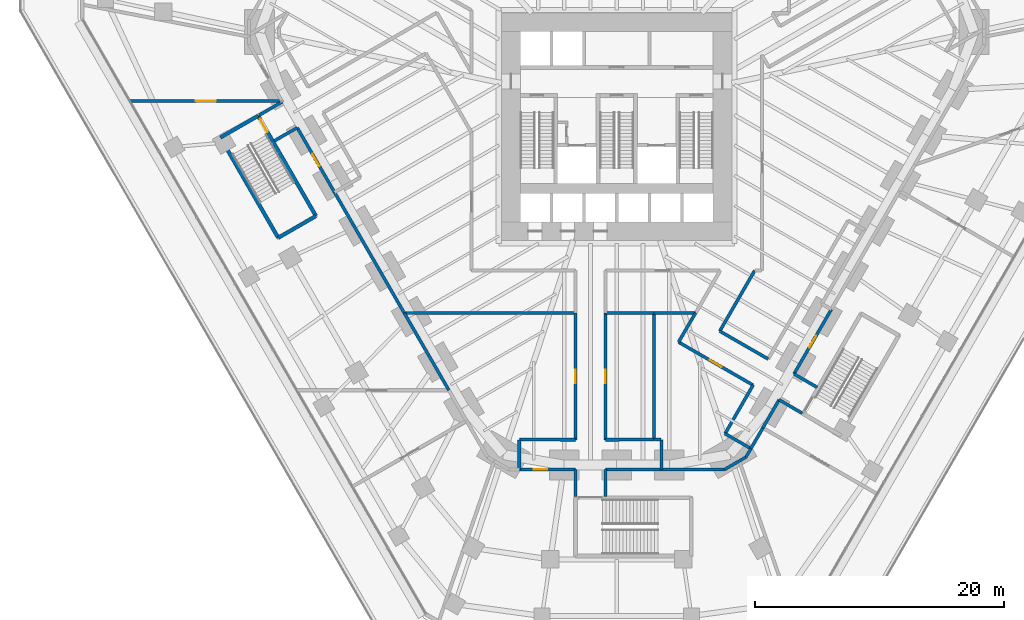
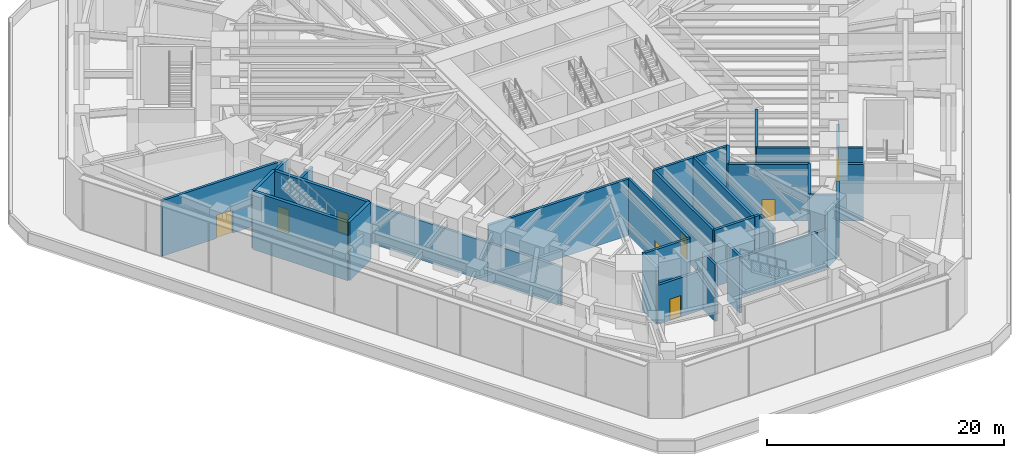
# One storey, part 15 of 25: 40 walls, 8 doors, 8 openings.
"""IFC4 building model written with IfcOpenShell, lengths in metres."""

from ifc_helpers import new_model, si_unit, direction, frame, frame_2d, origin, place, context, subcontext, project, spatial, rectangle, extrude, material, layer, layer_set, type_object, element, fill, save


model = new_model("IFC4")

# Units and contexts
model_context = context("Model", 3, precision=1e-05, world=origin(), true_north=direction((0.0, 1.0)))
body_context = subcontext(model_context, "Body", "Model", "MODEL_VIEW")
ifc_project = project(units=[si_unit("LENGTHUNIT", "METRE"), si_unit("AREAUNIT", "SQUARE_METRE"), si_unit("VOLUMEUNIT", "CUBIC_METRE"), si_unit("PLANEANGLEUNIT", "RADIAN"), si_unit("MASSUNIT", "GRAM", prefix="KILO")], contexts=[model_context])

# Site, building, storey
site_placement = place(None, origin())
site = spatial("IfcSite", under=ifc_project, at=site_placement, CompositionType="ELEMENT")
building_placement = place(site_placement, origin())
building = spatial("IfcBuilding", under=site, at=building_placement, Name="Sandreach Pilgrim Tower", CompositionType="ELEMENT")
storey_placement = place(building_placement, frame((0.0, 0.0, 6.0)))
storey = spatial("IfcBuildingStorey", under=building, at=storey_placement, Name="L01", CompositionType="ELEMENT", Elevation=6.0)

# Wall, opening, door
ifc_material_1 = material(Name="Acoustic gypsum board wall, double frame", Category="gypsum")
ifc_layer_1 = layer(ifc_material_1, 0.25)
ifc_layer_set_1 = layer_set([ifc_layer_1], Name="Hall partition 250")
wall_type_1 = type_object("IfcWallType", Name="Hall partition 250", PredefinedType="PARTITIONING", material=ifc_layer_set_1)
wall_1_placement = place(storey_placement, frame((-39.1298828125, 0.52001953125, 0.0), z_axis=(0.0, 0.0, 1.0), x_axis=(1.0, 0.0, 0.0)))
wall_1 = element("IfcWall", 1, at=wall_1_placement, inside=storey, type_object=wall_type_1, Name="Hall partition L01-001", PredefinedType="PARTITIONING", context=body_context, shape_type="SweptSolid", body=[
    extrude(rectangle(XDim=12.2099609375, YDim=0.25, at=frame_2d((6.10498046875, 0.0))), origin(), (0.0, 0.0, 1.0), 5.75),
])
opening_1_placement = place(wall_1_placement, frame((5.304931640625, 0.0, 0.0)))
opening_1 = element("IfcOpeningElement", 2, at=opening_1_placement, cuts=wall_1, Name="Opening D16-N3H", PredefinedType="OPENING", context=body_context, shape_type="SweptSolid", body=[
    extrude(rectangle(XDim=1.60009765625, YDim=2.39990234375, at=frame_2d((0.800048828125, 1.199951171875))), frame((0.0, 0.125, 0.0), z_axis=(0.0, -1.0, 0.0), x_axis=(1.0, 0.0, 0.0)), (0.0, 0.0, 1.0), 0.25),
])
ifc_material_2 = material(Name="Steel door and frame", Category="steel")
door_type_1 = type_object("IfcDoorType", Name="Hall double door", OperationType="DOUBLE_DOOR_SINGLE_SWING", PredefinedType="DOOR", material=ifc_material_2)
door_1_placement = place(opening_1_placement, origin())
door_1 = element("IfcDoor", 3, at=door_1_placement, inside=storey, type_object=door_type_1, Name="Door 01N3", OperationType="DOUBLE_DOOR_SINGLE_SWING", OverallHeight=2.39990234375, OverallWidth=1.60009765625, PredefinedType="DOOR", context=body_context, shape_type="SweptSolid", body=[
    extrude(rectangle(XDim=1.60009765625, YDim=2.39990234375, at=frame_2d((0.800048828125, 1.199951171875))), frame((0.0, 0.02490234375, 0.0), z_axis=(0.0, -1.0, 0.0), x_axis=(1.0, 0.0, 0.0)), (0.0, 0.0, 1.0), 0.050048828125),
])
fill(opening_1, door_1)

# Walls
for number, where, z_axis, x_axis, name in (
    (4, (-27.5400390625, -2.699951171875, 0.0), (0.0, 0.0, 1.0), (0.866853445344, 0.49856303944, 0.0), "Hall partition L01-008"),
    (5, (-26.8798828125, 0.449951171875, 0.0), (0.0, 0.0, 1.0), (-0.866853445344, -0.49856303944, 0.0), "Hall partition L01-012"),
):
    element("IfcWall", number, at=place(storey_placement, frame(where, z_axis=z_axis, x_axis=x_axis)), inside=storey, type_object=wall_type_1, Name=name, PredefinedType="PARTITIONING", context=body_context, shape_type="SweptSolid", body=[
        extrude(rectangle(XDim=2.145751953125, YDim=0.25, at=frame_2d((1.07275390625, 0.0))), origin(), (0.0, 0.0, 1.0), 5.840087890625),
    ])

# Wall, opening, door
wall_2_placement = place(storey_placement, frame((-25.679931640625, -1.6298828125, 0.0), z_axis=(0.0, 0.0, 1.0), x_axis=(0.500116102252, -0.865958361741, 0.0)))
wall_2 = element("IfcWall", 6, at=wall_2_placement, inside=storey, type_object=wall_type_1, Name="Hall partition L01-015", PredefinedType="PARTITIONING", context=body_context, shape_type="SweptSolid", body=[
    extrude(rectangle(XDim=5.99462890625, YDim=0.25, at=frame_2d((2.997314453125, 0.0))), origin(), (0.0, 0.0, 1.0), 4.0400390625),
])
opening_2_placement = place(wall_2_placement, frame((2.447509765625, 0.0, 0.0)))
opening_2 = element("IfcOpeningElement", 7, at=opening_2_placement, cuts=wall_2, Name="Opening D11H-05", PredefinedType="OPENING", context=body_context, shape_type="SweptSolid", body=[
    extrude(rectangle(XDim=1.10009765625, YDim=2.199951171875, at=frame_2d((0.550048828125, 1.10009765625))), frame((0.0, 0.125, 0.0), z_axis=(0.0, -1.0, 0.0), x_axis=(1.0, 0.0, 0.0)), (0.0, 0.0, 1.0), 0.25),
])
ifc_material_3 = material(Name="Steel door and frame", Category="steel")
door_type_2 = type_object("IfcDoorType", Name="Back of house door", OperationType="SINGLE_SWING_LEFT", PredefinedType="DOOR", material=ifc_material_3)
door_2_placement = place(opening_2_placement, origin())
door_2 = element("IfcDoor", 8, at=door_2_placement, inside=storey, type_object=door_type_2, Name="Door 0105", OperationType="SINGLE_SWING_LEFT", OverallHeight=2.199951171875, OverallWidth=1.10009765625, PredefinedType="DOOR", context=body_context, shape_type="SweptSolid", body=[
    extrude(rectangle(XDim=1.10009765625, YDim=2.199951171875, at=frame_2d((0.550048828125, 1.10009765625))), frame((0.0, 0.02490234375, 0.0), z_axis=(0.0, -1.0, 0.0), x_axis=(1.0, 0.0, 0.0)), (0.0, 0.0, 1.0), 0.050048828125),
])
fill(opening_2, door_2)

# Walls
wall_3_placement = place(storey_placement, frame((-22.681884765625, -6.821044921875, 0.0), z_axis=(0.0, 0.0, 1.0), x_axis=(0.500140682179, -0.865944165654, 0.0)))
element("IfcWall", 9, at=wall_3_placement, inside=storey, type_object=wall_type_1, Name="Hall partition L01-021", PredefinedType="PARTITIONING", context=body_context, shape_type="SweptSolid", body=[
    extrude(rectangle(XDim=11.200439453125, YDim=0.25, at=frame_2d((5.60009765625, 0.0))), origin(), (0.0, 0.0, 1.0), 4.0400390625),
])
wall_4_placement = place(storey_placement, frame((-13.489990234375, -22.72998046875, 0.0), z_axis=(0.0, 0.0, 1.0), x_axis=(-0.500498166141, 0.865737596325, 0.0)))
element("IfcWall", 10, at=wall_4_placement, inside=storey, type_object=wall_type_1, Name="Hall partition L01-039", PredefinedType="PARTITIONING", context=body_context, shape_type="SweptSolid", body=[
    extrude(rectangle(XDim=7.173095703125, YDim=0.25, at=frame_2d((3.58642578125, 0.0))), origin(), (0.0, 0.0, 1.0), 4.0400390625),
])
wall_5_placement = place(storey_placement, frame((-7.830078125, -29.110107421875, 0.0), z_axis=(0.0, 0.0, 1.0), x_axis=(0.0, 1.0, 0.0)))
element("IfcWall", 11, at=wall_5_placement, inside=storey, type_object=wall_type_1, Name="Hall partition L01-050", PredefinedType="PARTITIONING", context=body_context, shape_type="SweptSolid", body=[
    extrude(rectangle(XDim=2.400146484375, YDim=0.25, at=frame_2d((1.2001953125, 0.0))), origin(), (0.0, 0.0, 1.0), 5.840087890625),
])

# Wall, opening, door
wall_6_placement = place(storey_placement, frame((-7.830078125, -29.110107421875, 0.0), z_axis=(0.0, 0.0, 1.0), x_axis=(1.0, 0.0, 0.0)))
wall_6 = element("IfcWall", 12, at=wall_6_placement, inside=storey, type_object=wall_type_1, Name="Hall partition L01-051", PredefinedType="PARTITIONING", context=body_context, shape_type="SweptSolid", body=[
    extrude(rectangle(XDim=4.52001953125, YDim=0.25, at=frame_2d((2.260009765625, 0.0))), origin(), (0.0, 0.0, 1.0), 4.0400390625),
])
opening_3_placement = place(wall_6_placement, frame((1.159912109375, 0.0, 0.0)))
opening_3 = element("IfcOpeningElement", 13, at=opening_3_placement, cuts=wall_6, Name="Opening D11H-04", PredefinedType="OPENING", context=body_context, shape_type="SweptSolid", body=[
    extrude(rectangle(XDim=1.10009765625, YDim=2.199951171875, at=frame_2d((0.550048828125, 1.10009765625))), frame((0.0, 0.125, 0.0), z_axis=(0.0, -1.0, 0.0), x_axis=(1.0, 0.0, 0.0)), (0.0, 0.0, 1.0), 0.25),
])
door_3_placement = place(opening_3_placement, origin())
door_3 = element("IfcDoor", 14, at=door_3_placement, inside=storey, type_object=door_type_2, Name="Door 0104", OperationType="SINGLE_SWING_LEFT", OverallHeight=2.199951171875, OverallWidth=1.10009765625, PredefinedType="DOOR", context=body_context, shape_type="SweptSolid", body=[
    extrude(rectangle(XDim=1.10009765625, YDim=2.199951171875, at=frame_2d((0.550048828125, 1.10009765625))), frame((0.0, 0.02490234375, 0.0), z_axis=(0.0, -1.0, 0.0), x_axis=(1.0, 0.0, 0.0)), (0.0, 0.0, 1.0), 0.050048828125),
])
fill(opening_3, door_3)

# Walls
wall_7_placement = place(storey_placement, frame((-7.830078125, -26.68994140625, 0.0), z_axis=(0.0, 0.0, 1.0), x_axis=(0.999990191766, -0.004429037254, 0.0)))
element("IfcWall", 15, at=wall_7_placement, inside=storey, type_object=wall_type_1, Name="Hall partition L01-052", PredefinedType="PARTITIONING", context=body_context, shape_type="SweptSolid", body=[
    extrude(rectangle(XDim=4.52001953125, YDim=0.25, at=frame_2d((2.260009765625, 0.0))), origin(), (0.0, 0.0, 1.0), 5.840087890625),
])
wall_8_placement = place(storey_placement, frame((-3.330078125, -16.52001953125, 0.0), z_axis=(0.0, 0.0, 1.0), x_axis=(-1.0, 0.0, 0.0)))
element("IfcWall", 16, at=wall_8_placement, inside=storey, type_object=wall_type_1, Name="Hall partition L01-056", PredefinedType="PARTITIONING", context=body_context, shape_type="SweptSolid", body=[
    extrude(rectangle(XDim=13.75, YDim=0.25, at=frame_2d((6.875, 0.0))), origin(), (0.0, 0.0, 1.0), 5.840087890625),
])
wall_9_placement = place(storey_placement, frame((-3.31005859375, -29.110107421875, 0.0), z_axis=(0.0, 0.0, 1.0), x_axis=(0.0, -1.0, 0.0)))
element("IfcWall", 17, at=wall_9_placement, inside=storey, type_object=wall_type_1, Name="Hall partition L01-057", PredefinedType="PARTITIONING", context=body_context, shape_type="SweptSolid", body=[
    extrude(rectangle(XDim=2.14990234375, YDim=0.25, at=frame_2d((1.074951171875, 0.0))), origin(), (0.0, 0.0, 1.0), 5.840087890625),
])

# Wall, opening, door
wall_10_placement = place(storey_placement, frame((-3.31005859375, -16.52001953125, 0.0), z_axis=(0.0, 0.0, 1.0), x_axis=(0.0, -1.0, 0.0)))
wall_10 = element("IfcWall", 18, at=wall_10_placement, inside=storey, type_object=wall_type_1, Name="Hall partition L01-058", PredefinedType="PARTITIONING", context=body_context, shape_type="SweptSolid", body=[
    extrude(rectangle(XDim=10.18994140625, YDim=0.25, at=frame_2d((5.094970703125, 0.0))), origin(), (0.0, 0.0, 1.0), 5.840087890625),
])
opening_4_placement = place(wall_10_placement, frame((4.544921875, 0.0, 0.0)))
opening_4 = element("IfcOpeningElement", 19, at=opening_4_placement, cuts=wall_10, Name="Opening D11H-T1", PredefinedType="OPENING", context=body_context, shape_type="SweptSolid", body=[
    extrude(rectangle(XDim=1.10009765625, YDim=2.199951171875, at=frame_2d((0.550048828125, 1.10009765625))), frame((0.0, 0.125, 0.0), z_axis=(0.0, -1.0, 0.0), x_axis=(1.0, 0.0, 0.0)), (0.0, 0.0, 1.0), 0.25),
])
door_4_placement = place(opening_4_placement, origin())
door_4 = element("IfcDoor", 20, at=door_4_placement, inside=storey, type_object=door_type_2, Name="Door 01T1", OperationType="SINGLE_SWING_LEFT", OverallHeight=2.199951171875, OverallWidth=1.10009765625, PredefinedType="DOOR", context=body_context, shape_type="SweptSolid", body=[
    extrude(rectangle(XDim=1.10009765625, YDim=2.199951171875, at=frame_2d((0.550048828125, 1.10009765625))), frame((0.0, 0.02490234375, 0.0), z_axis=(0.0, -1.0, 0.0), x_axis=(1.0, 0.0, 0.0)), (0.0, 0.0, 1.0), 0.050048828125),
])
fill(opening_4, door_4)

# Walls
wall_11_placement = place(storey_placement, frame((-0.909912109375, -31.260009765625, 0.0), z_axis=(0.0, 0.0, 1.0), x_axis=(0.0, 1.0, 0.0)))
element("IfcWall", 21, at=wall_11_placement, inside=storey, type_object=wall_type_1, Name="Hall partition L01-060", PredefinedType="PARTITIONING", context=body_context, shape_type="SweptSolid", body=[
    extrude(rectangle(XDim=2.14990234375, YDim=0.25, at=frame_2d((1.074951171875, 0.0))), origin(), (0.0, 0.0, 1.0), 5.840087890625),
])
wall_12_placement = place(storey_placement, frame((-0.909912109375, -29.110107421875, 0.0), z_axis=(0.0, 0.0, 1.0), x_axis=(1.0, 0.0, 0.0)))
element("IfcWall", 22, at=wall_12_placement, inside=storey, type_object=wall_type_1, Name="Hall partition L01-061", PredefinedType="PARTITIONING", context=body_context, shape_type="SweptSolid", body=[
    extrude(rectangle(XDim=4.52001953125, YDim=0.25, at=frame_2d((2.260009765625, 0.0))), origin(), (0.0, 0.0, 1.0), 4.0400390625),
])

# Wall, opening, door
wall_13_placement = place(storey_placement, frame((-0.909912109375, -26.7099609375, 0.0), z_axis=(0.0, 0.0, 1.0), x_axis=(0.0, 1.0, 0.0)))
wall_13 = element("IfcWall", 23, at=wall_13_placement, inside=storey, type_object=wall_type_1, Name="Hall partition L01-062", PredefinedType="PARTITIONING", context=body_context, shape_type="SweptSolid", body=[
    extrude(rectangle(XDim=10.18994140625, YDim=0.25, at=frame_2d((5.094970703125, 0.0))), origin(), (0.0, 0.0, 1.0), 5.840087890625),
])
opening_5_placement = place(wall_13_placement, frame((4.544921875, 0.0, 0.0)))
opening_5 = element("IfcOpeningElement", 24, at=opening_5_placement, cuts=wall_13, Name="Opening D11H-T2", PredefinedType="OPENING", context=body_context, shape_type="SweptSolid", body=[
    extrude(rectangle(XDim=1.10009765625, YDim=2.199951171875, at=frame_2d((0.550048828125, 1.10009765625))), frame((0.0, 0.125, 0.0), z_axis=(0.0, -1.0, 0.0), x_axis=(1.0, 0.0, 0.0)), (0.0, 0.0, 1.0), 0.25),
])
door_5_placement = place(opening_5_placement, origin())
door_5 = element("IfcDoor", 25, at=door_5_placement, inside=storey, type_object=door_type_2, Name="Door 01T2", OperationType="SINGLE_SWING_LEFT", OverallHeight=2.199951171875, OverallWidth=1.10009765625, PredefinedType="DOOR", context=body_context, shape_type="SweptSolid", body=[
    extrude(rectangle(XDim=1.10009765625, YDim=2.199951171875, at=frame_2d((0.550048828125, 1.10009765625))), frame((0.0, 0.02490234375, 0.0), z_axis=(0.0, -1.0, 0.0), x_axis=(1.0, 0.0, 0.0)), (0.0, 0.0, 1.0), 0.050048828125),
])
fill(opening_5, door_5)

# Walls
wall_14_placement = place(storey_placement, frame((-0.909912109375, -26.7099609375, 0.0), z_axis=(0.0, 0.0, 1.0), x_axis=(0.999986892035, 0.005120132697, 0.0)))
element("IfcWall", 26, at=wall_14_placement, inside=storey, type_object=wall_type_1, Name="Hall partition L01-063", PredefinedType="PARTITIONING", context=body_context, shape_type="SweptSolid", body=[
    extrude(rectangle(XDim=3.909912109375, YDim=0.25, at=frame_2d((1.955078125, 0.0))), origin(), (0.0, 0.0, 1.0), 5.840087890625),
])
wall_15_placement = place(storey_placement, frame((3.0, -16.52001953125, 0.0), z_axis=(0.0, 0.0, 1.0), x_axis=(-1.0, 0.0, 0.0)))
element("IfcWall", 27, at=wall_15_placement, inside=storey, type_object=wall_type_1, Name="Hall partition L01-066", PredefinedType="PARTITIONING", context=body_context, shape_type="SweptSolid", body=[
    extrude(rectangle(XDim=3.889892578125, YDim=0.25, at=frame_2d((1.94482421875, 0.0))), origin(), (0.0, 0.0, 1.0), 5.840087890625),
])
wall_16_placement = place(storey_placement, frame((3.0, -16.52001953125, 0.0), z_axis=(0.0, 0.0, 1.0), x_axis=(0.0, -1.0, 0.0)))
element("IfcWall", 28, at=wall_16_placement, inside=storey, type_object=wall_type_1, Name="Hall partition L01-067", PredefinedType="PARTITIONING", context=body_context, shape_type="SweptSolid", body=[
    extrude(rectangle(XDim=10.169921875, YDim=0.25, at=frame_2d((5.0849609375, 0.0))), origin(), (0.0, 0.0, 1.0), 5.840087890625),
])
wall_17_placement = place(storey_placement, frame((3.034912109375, -26.68994140625, 0.0), z_axis=(0.0, 0.0, 1.0), x_axis=(1.0, 0.0, 0.0)))
element("IfcWall", 29, at=wall_17_placement, inside=storey, type_object=wall_type_1, Name="Hall partition L01-068", PredefinedType="PARTITIONING", context=body_context, shape_type="SweptSolid", body=[
    extrude(rectangle(XDim=0.53515625, YDim=0.25, at=frame_2d((0.267578125, 0.0))), origin(), (0.0, 0.0, 1.0), 5.840087890625),
])
wall_18_placement = place(storey_placement, frame((3.610107421875, -29.110107421875, 0.0), z_axis=(0.0, 0.0, 1.0), x_axis=(1.0, 0.0, 0.0)))
element("IfcWall", 30, at=wall_18_placement, inside=storey, type_object=wall_type_1, Name="Hall partition L01-069", PredefinedType="PARTITIONING", context=body_context, shape_type="SweptSolid", body=[
    extrude(rectangle(XDim=5.039794921875, YDim=0.25, at=frame_2d((2.52001953125, 0.0))), origin(), (0.0, 0.0, 1.0), 4.0400390625),
])
wall_19_placement = place(storey_placement, frame((3.610107421875, -26.7099609375, 0.0), z_axis=(0.0, 0.0, 1.0), x_axis=(0.0, -1.0, 0.0)))
element("IfcWall", 31, at=wall_19_placement, inside=storey, type_object=wall_type_1, Name="Hall partition L01-070", PredefinedType="PARTITIONING", context=body_context, shape_type="SweptSolid", body=[
    extrude(rectangle(XDim=2.400146484375, YDim=0.25, at=frame_2d((1.2001953125, 0.0))), origin(), (0.0, 0.0, 1.0), 5.840087890625),
])
wall_20_placement = place(storey_placement, frame((4.969970703125, -18.860107421875, 0.0), z_axis=(0.0, 0.0, 1.0), x_axis=(0.502507574725, 0.864572806271, 0.0)))
element("IfcWall", 32, at=wall_20_placement, inside=storey, type_object=wall_type_1, Name="Hall partition L01-074", PredefinedType="PARTITIONING", context=body_context, shape_type="SweptSolid", body=[
    extrude(rectangle(XDim=2.70654296875, YDim=0.25, at=frame_2d((1.353271484375, 0.0))), origin(), (0.0, 0.0, 1.0), 5.840087890625),
])
wall_21_placement = place(storey_placement, frame((6.330078125, -16.52001953125, 0.0), z_axis=(0.0, 0.0, 1.0), x_axis=(-1.0, 0.0, 0.0)))
element("IfcWall", 33, at=wall_21_placement, inside=storey, type_object=wall_type_1, Name="Hall partition L01-078", PredefinedType="PARTITIONING", context=body_context, shape_type="SweptSolid", body=[
    extrude(rectangle(XDim=3.330078125, YDim=0.25, at=frame_2d((1.6650390625, 0.0))), origin(), (0.0, 0.0, 1.0), 5.840087890625),
])
wall_22_placement = place(storey_placement, frame((8.280029296875, -17.97998046875, 0.0), z_axis=(0.0, 0.0, 1.0), x_axis=(0.499206132958, 0.866483258244, 0.0)))
element("IfcWall", 34, at=wall_22_placement, inside=storey, type_object=wall_type_1, Name="Hall partition L01-079", PredefinedType="PARTITIONING", context=body_context, shape_type="SweptSolid", body=[
    extrude(rectangle(XDim=5.60888671875, YDim=0.25, at=frame_2d((2.804443359375, 0.0))), origin(), (0.0, 0.0, 1.0), 5.840087890625),
])
wall_23_placement = place(storey_placement, frame((8.64990234375, -29.110107421875, 0.0), z_axis=(0.0, 0.0, 1.0), x_axis=(0.865736025111, 0.500500883941, 0.0)))
element("IfcWall", 35, at=wall_23_placement, inside=storey, type_object=wall_type_1, Name="Hall partition L01-081", PredefinedType="PARTITIONING", context=body_context, shape_type="SweptSolid", body=[
    extrude(rectangle(XDim=1.38427734375, YDim=0.25, at=frame_2d((0.692138671875, 0.0))), origin(), (0.0, 0.0, 1.0), 5.840087890625),
])
wall_24_placement = place(storey_placement, frame((8.68994140625, -26.2099609375, 0.0), z_axis=(0.0, 0.0, 1.0), x_axis=(0.865442434468, -0.5010083758, 0.0)))
element("IfcWall", 36, at=wall_24_placement, inside=storey, type_object=wall_type_1, Name="Hall partition L01-082", PredefinedType="PARTITIONING", context=body_context, shape_type="SweptSolid", body=[
    extrude(rectangle(XDim=2.4150390625, YDim=0.25, at=frame_2d((1.20751953125, 0.0))), origin(), (0.0, 0.0, 1.0), 5.840087890625),
])
wall_25_placement = place(storey_placement, frame((10.3798828125, -28.110107421875, 0.0), z_axis=(0.0, 0.0, 1.0), x_axis=(-0.865714845822, -0.5005375168, 0.0)))
element("IfcWall", 37, at=wall_25_placement, inside=storey, type_object=wall_type_1, Name="Hall partition L01-084", PredefinedType="PARTITIONING", context=body_context, shape_type="SweptSolid", body=[
    extrude(rectangle(XDim=0.578857421875, YDim=0.25, at=frame_2d((0.28955078125, 0.0))), origin(), (0.0, 0.0, 1.0), 5.840087890625),
])
wall_26_placement = place(storey_placement, frame((10.780029296875, -27.419921875, 0.0), z_axis=(0.0, 0.0, 1.0), x_axis=(0.504526221307, 0.863396370165, 0.0)))
element("IfcWall", 38, at=wall_26_placement, inside=storey, type_object=wall_type_1, Name="Hall partition L01-085", PredefinedType="PARTITIONING", context=body_context, shape_type="SweptSolid", body=[
    extrude(rectangle(XDim=1.922607421875, YDim=0.25, at=frame_2d((0.96142578125, 0.0))), origin(), (0.0, 0.0, 1.0), 5.840087890625),
])
wall_27_placement = place(storey_placement, frame((10.7900390625, -27.419921875, 0.0), z_axis=(0.0, 0.0, 1.0), x_axis=(-0.510777713782, -0.859712816645, 0.0)))
element("IfcWall", 39, at=wall_27_placement, inside=storey, type_object=wall_type_1, Name="Hall partition L01-086", PredefinedType="PARTITIONING", context=body_context, shape_type="SweptSolid", body=[
    extrude(rectangle(XDim=0.802490234375, YDim=0.25, at=frame_2d((0.4013671875, 0.0))), origin(), (0.0, 0.0, 1.0), 5.840087890625),
])

# Wall, opening, door
wall_28_placement = place(storey_placement, frame((10.93994140625, -22.31005859375, 0.0), z_axis=(0.0, 0.0, 1.0), x_axis=(-0.865825192556, 0.500346615794, 0.0)))
wall_28 = element("IfcWall", 40, at=wall_28_placement, inside=storey, type_object=wall_type_1, Name="Hall partition L01-087", PredefinedType="PARTITIONING", context=body_context, shape_type="SweptSolid", body=[
    extrude(rectangle(XDim=6.89501953125, YDim=0.25, at=frame_2d((3.447509765625, 0.0))), origin(), (0.0, 0.0, 1.0), 5.840087890625),
])
opening_6_placement = place(wall_28_placement, frame((2.897705078125, 0.0, 0.0)))
opening_6 = element("IfcOpeningElement", 41, at=opening_6_placement, cuts=wall_28, Name="Opening D11H-T3", PredefinedType="OPENING", context=body_context, shape_type="SweptSolid", body=[
    extrude(rectangle(XDim=1.10009765625, YDim=2.199951171875, at=frame_2d((0.550048828125, 1.10009765625))), frame((0.0, 0.125, 0.0), z_axis=(0.0, -1.0, 0.0), x_axis=(1.0, 0.0, 0.0)), (0.0, 0.0, 1.0), 0.25),
])
door_6_placement = place(opening_6_placement, origin())
door_6 = element("IfcDoor", 42, at=door_6_placement, inside=storey, type_object=door_type_2, Name="Door 01T3", OperationType="SINGLE_SWING_LEFT", OverallHeight=2.199951171875, OverallWidth=1.10009765625, PredefinedType="DOOR", context=body_context, shape_type="SweptSolid", body=[
    extrude(rectangle(XDim=1.10009765625, YDim=2.199951171875, at=frame_2d((0.550048828125, 1.10009765625))), frame((0.0, 0.02490234375, 0.0), z_axis=(0.0, -1.0, 0.0), x_axis=(1.0, 0.0, 0.0)), (0.0, 0.0, 1.0), 0.050048828125),
])
fill(opening_6, door_6)

# Walls
wall_29_placement = place(storey_placement, frame((10.969970703125, -22.300048828125, 0.0), z_axis=(0.0, 0.0, 1.0), x_axis=(-0.499476424687, -0.86632747918, 0.0)))
element("IfcWall", 43, at=wall_29_placement, inside=storey, type_object=wall_type_1, Name="Hall partition L01-088", PredefinedType="PARTITIONING", context=body_context, shape_type="SweptSolid", body=[
    extrude(rectangle(XDim=4.524658203125, YDim=0.25, at=frame_2d((2.26220703125, 0.0))), origin(), (0.0, 0.0, 1.0), 5.840087890625),
])
wall_30_placement = place(storey_placement, frame((11.739990234375, -25.760009765625, 0.0), z_axis=(0.0, 0.0, 1.0), x_axis=(0.50150407689, 0.865155281359, 0.0)))
element("IfcWall", 44, at=wall_30_placement, inside=storey, type_object=wall_type_1, Name="Hall partition L01-096", PredefinedType="PARTITIONING", context=body_context, shape_type="SweptSolid", body=[
    extrude(rectangle(XDim=2.6123046875, YDim=0.25, at=frame_2d((1.30615234375, 0.0))), origin(), (0.0, 0.0, 1.0), 4.0400390625),
])
wall_31_placement = place(storey_placement, frame((12.169921875, -20.219970703125, 0.0), z_axis=(0.0, 0.0, 1.0), x_axis=(-0.866588245704, 0.499023859558, 0.0)))
element("IfcWall", 45, at=wall_31_placement, inside=storey, type_object=wall_type_1, Name="Hall partition L01-097", PredefinedType="PARTITIONING", context=body_context, shape_type="SweptSolid", body=[
    extrude(rectangle(XDim=4.48876953125, YDim=0.25, at=frame_2d((2.244384765625, 0.0))), origin(), (0.0, 0.0, 1.0), 5.840087890625),
])
wall_32_placement = place(storey_placement, frame((13.050048828125, -23.5, 0.0), z_axis=(0.0, 0.0, 1.0), x_axis=(0.864757143013, -0.502190286255, 0.0)))
element("IfcWall", 46, at=wall_32_placement, inside=storey, type_object=wall_type_1, Name="Hall partition L01-100", PredefinedType="PARTITIONING", context=body_context, shape_type="SweptSolid", body=[
    extrude(rectangle(XDim=2.150634765625, YDim=0.25, at=frame_2d((1.0751953125, 0.0))), origin(), (0.0, 0.0, 1.0), 5.840087890625),
])

# Wall, opening, door
wall_33_placement = place(storey_placement, frame((14.25, -21.419921875, 0.0), z_axis=(0.0, 0.0, 1.0), x_axis=(0.50044857655, 0.865766263046, 0.0)))
wall_33 = element("IfcWall", 47, at=wall_33_placement, inside=storey, type_object=wall_type_1, Name="Hall partition L01-105", PredefinedType="PARTITIONING", context=body_context, shape_type="SweptSolid", body=[
    extrude(rectangle(XDim=5.99462890625, YDim=0.25, at=frame_2d((2.997314453125, 0.0))), origin(), (0.0, 0.0, 1.0), 4.0400390625),
])
opening_7_placement = place(wall_33_placement, frame((2.447509765625, 0.0, 0.0)))
opening_7 = element("IfcOpeningElement", 48, at=opening_7_placement, cuts=wall_33, Name="Opening D11H-03", PredefinedType="OPENING", context=body_context, shape_type="SweptSolid", body=[
    extrude(rectangle(XDim=1.10009765625, YDim=2.199951171875, at=frame_2d((0.550048828125, 1.10009765625))), frame((0.0, 0.125, 0.0), z_axis=(0.0, -1.0, 0.0), x_axis=(1.0, 0.0, 0.0)), (0.0, 0.0, 1.0), 0.25),
])
door_7_placement = place(opening_7_placement, origin())
door_7 = element("IfcDoor", 49, at=door_7_placement, inside=storey, type_object=door_type_2, Name="Door 0103", OperationType="SINGLE_SWING_LEFT", OverallHeight=2.199951171875, OverallWidth=1.10009765625, PredefinedType="DOOR", context=body_context, shape_type="SweptSolid", body=[
    extrude(rectangle(XDim=1.10009765625, YDim=2.199951171875, at=frame_2d((0.550048828125, 1.10009765625))), frame((0.0, 0.02490234375, 0.0), z_axis=(0.0, -1.0, 0.0), x_axis=(1.0, 0.0, 0.0)), (0.0, 0.0, 1.0), 0.050048828125),
])
fill(opening_7, door_7)

# Wall
wall_34_placement = place(storey_placement, frame((16.110107421875, -22.5, 0.0), z_axis=(0.0, 0.0, 1.0), x_axis=(-0.864785766719, 0.502140993826, 0.0)))
element("IfcWall", 50, at=wall_34_placement, inside=storey, type_object=wall_type_1, Name="Hall partition L01-106", PredefinedType="PARTITIONING", context=body_context, shape_type="SweptSolid", body=[
    extrude(rectangle(XDim=2.15087890625, YDim=0.25, at=frame_2d((1.075439453125, 0.0))), origin(), (0.0, 0.0, 1.0), 5.840087890625),
])

# Wall, opening, door
ifc_material_4 = material(Name="Concrete 8000 psi", Category="concrete")
ifc_layer_2 = layer(ifc_material_4, 0.300048828125)
ifc_layer_set_2 = layer_set([ifc_layer_2], Name="Podium stair enclosure 300")
wall_type_2 = type_object("IfcWallType", Name="Podium stair enclosure 300", PredefinedType="SHEAR", material=ifc_layer_set_2)
wall_35_placement = place(storey_placement, frame((-28.82421875, -0.67236328125, 0.0), z_axis=(0.0, 0.0, 1.0), x_axis=(0.499984536904, -0.866034331223, 0.0)))
wall_35 = element("IfcWall", 51, at=wall_35_placement, inside=storey, type_object=wall_type_2, Name="Stair ST9 enclosure L01 1", PredefinedType="SHEAR", context=body_context, shape_type="SweptSolid", body=[
    extrude(rectangle(XDim=9.300048828125, YDim=0.300048828125, at=frame_2d((4.64990234375, 0.0))), origin(), (0.0, 0.0, 1.0), 6.0),
])
opening_8_placement = place(wall_35_placement, frame((0.300048828125, 0.0, 0.0)))
opening_8 = element("IfcOpeningElement", 52, at=opening_8_placement, cuts=wall_35, Name="Opening D12S-ST9", PredefinedType="OPENING", context=body_context, shape_type="SweptSolid", body=[
    extrude(rectangle(XDim=1.199951171875, YDim=2.39990234375, at=frame_2d((0.60009765625, 1.199951171875))), frame((0.0, 0.14990234375, 0.0), z_axis=(0.0, -1.0, 0.0), x_axis=(1.0, 0.0, 0.0)), (0.0, 0.0, 1.0), 0.300048828125),
])
ifc_material_5 = material(Name="Steel door and frame", Category="steel")
door_type_3 = type_object("IfcDoorType", Name="Narrow podium stair door", OperationType="SINGLE_SWING_LEFT", PredefinedType="DOOR", material=ifc_material_5)
door_8_placement = place(opening_8_placement, origin())
door_8 = element("IfcDoor", 53, at=door_8_placement, inside=storey, type_object=door_type_3, Name="Stair door ST9 L01", OperationType="SINGLE_SWING_LEFT", OverallHeight=2.39990234375, OverallWidth=1.199951171875, PredefinedType="DOOR", context=body_context, shape_type="SweptSolid", body=[
    extrude(rectangle(XDim=1.199951171875, YDim=2.39990234375, at=frame_2d((0.60009765625, 1.199951171875))), frame((0.0, 0.02490234375, 0.0), z_axis=(0.0, -1.0, 0.0), x_axis=(1.0, 0.0, 0.0)), (0.0, 0.0, 1.0), 0.050048828125),
])
fill(opening_8, door_8)

# Walls
wall_36_placement = place(storey_placement, frame((-24.17431640625, -8.7265625, 0.0), z_axis=(0.0, 0.0, 1.0), x_axis=(-0.866019471182, -0.500010275428, 0.0)))
element("IfcWall", 54, at=wall_36_placement, inside=storey, type_object=wall_type_2, Name="Stair ST9 enclosure L01 2", PredefinedType="SHEAR", context=body_context, shape_type="SweptSolid", body=[
    extrude(rectangle(XDim=3.5, YDim=0.300048828125, at=frame_2d((1.75, 0.0))), origin(), (0.0, 0.0, 1.0), 6.0),
])
wall_37_placement = place(storey_placement, frame((-27.205322265625, -10.4765625, 0.0), z_axis=(0.0, 0.0, 1.0), x_axis=(-0.499984536904, 0.866034331223, 0.0)))
element("IfcWall", 55, at=wall_37_placement, inside=storey, type_object=wall_type_2, Name="Stair ST9 enclosure L01 3", PredefinedType="SHEAR", context=body_context, shape_type="SweptSolid", body=[
    extrude(rectangle(XDim=9.300048828125, YDim=0.300048828125, at=frame_2d((4.64990234375, 0.0))), origin(), (0.0, 0.0, 1.0), 6.0),
])
wall_38_placement = place(storey_placement, frame((-31.855224609375, -2.42236328125, 0.0), z_axis=(0.0, 0.0, 1.0), x_axis=(0.866019471182, 0.500010275428, 0.0)))
element("IfcWall", 56, at=wall_38_placement, inside=storey, type_object=wall_type_2, Name="Stair ST9 enclosure L01 4", PredefinedType="SHEAR", context=body_context, shape_type="SweptSolid", body=[
    extrude(rectangle(XDim=3.5, YDim=0.300048828125, at=frame_2d((1.75, 0.0))), origin(), (0.0, 0.0, 1.0), 6.0),
])

save(model, "model.ifc")
